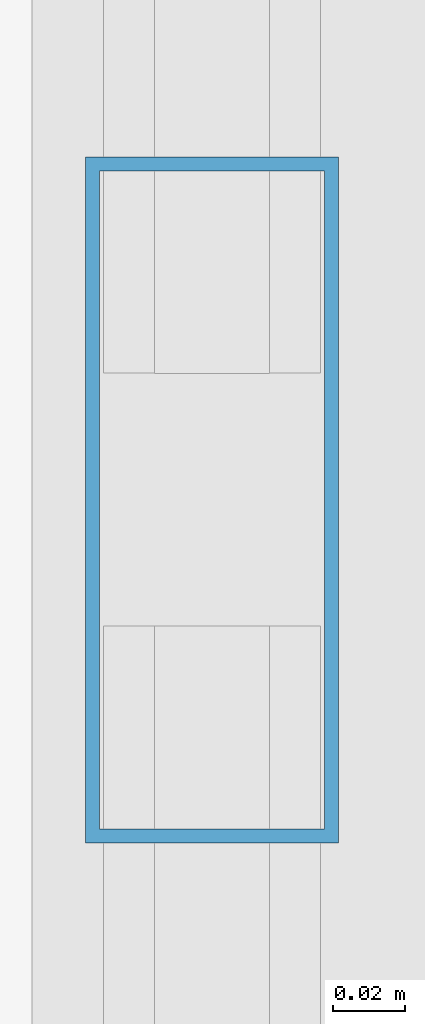
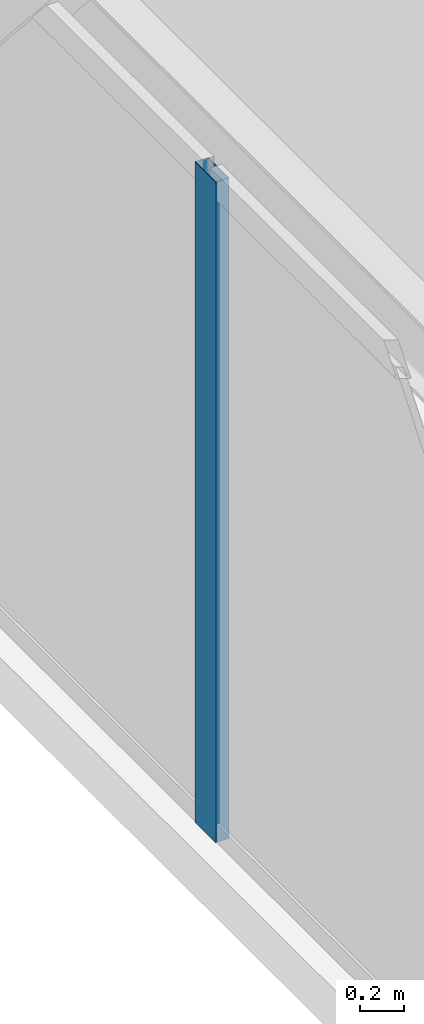
# One storey, part 11 of 32: 1 member, 1 element without a shape of its own.
"""IFC4 building model written with IfcOpenShell, lengths in metres."""

from ifc_helpers import new_model, si_unit, direction, frame, origin, origin_2d, place, context, subcontext, project, spatial, hollow_rectangle, extrude, source, transform, mapped, material, layer, layer_set, material_profile, profile_set, type_object, type_shapes, element, aggregate, save


model = new_model("IFC4")

# Units and contexts
model_context = context("Model", 3, precision=1e-05, world=origin(), true_north=direction((0.0, 1.0)))
body_context = subcontext(model_context, "Body", "Model", "MODEL_VIEW")
ifc_project = project(units=[si_unit("LENGTHUNIT", "METRE"), si_unit("AREAUNIT", "SQUARE_METRE"), si_unit("VOLUMEUNIT", "CUBIC_METRE"), si_unit("PLANEANGLEUNIT", "RADIAN"), si_unit("MASSUNIT", "GRAM", prefix="KILO")], contexts=[model_context])

# Site, building, storey
site_placement = place(None, origin())
site = spatial("IfcSite", under=ifc_project, at=site_placement, CompositionType="ELEMENT")
building_placement = place(site_placement, origin())
building = spatial("IfcBuilding", under=site, at=building_placement, Name="Varnel Quay Broadcast Tower", CompositionType="ELEMENT")
storey_placement = place(building_placement, frame((0.0, 0.0, 58.800048828125)))
storey = spatial("IfcBuildingStorey", under=building, at=storey_placement, Name="L13", CompositionType="ELEMENT", Elevation=58.800048828125)

# Curtain wall, member
ifc_material = material(Name="Anodised Bronze Aluminium 6063-T6", Category="aluminium")
ifc_layer = layer(ifc_material, 0.18994140625, Name="Anodised Bronze Aluminium 6063-T6")
ifc_layer_set = layer_set([ifc_layer], Name="Anodised Bronze Aluminium 6063-T6")
curtain_wall_type = type_object("IfcCurtainWallType", Name="CW_LowerTower", PredefinedType="NOTDEFINED", material=ifc_layer_set)
curtain_wall_placement = place(storey_placement, origin())
curtain_wall = element("IfcCurtainWall", 1, at=curtain_wall_placement, inside=storey, type_object=curtain_wall_type, Name="L13 West Unitised Curtain Wall", PredefinedType="NOTDEFINED")
ifc_material_profile = material_profile(ifc_material, hollow_rectangle(XDim=0.070068359375, YDim=0.18994140625, WallThickness=0.00390625, at=origin_2d()), Name="ALU70X190X4")
ifc_profile_set = profile_set([ifc_material_profile], Name="Anodised Bronze Aluminium 6063-T6")
member_type = type_object("IfcMemberType", Name="Mull_CWS-02", PredefinedType="MULLION", material=ifc_profile_set)
shared_shape = source(origin(), body_context, "Body", "SweptSolid", [
    extrude(hollow_rectangle(XDim=0.070068359375, YDim=0.18994140625, WallThickness=0.00390625, at=origin_2d()), origin(), (0.0, 0.0, 1.0), 3.64990234375),
])
type_shapes(member_type, [shared_shape])
member_placement = place(storey_placement, frame((2.14990234375, 30.39990234375, 0.0), z_axis=(0.0, 0.0, 1.0), x_axis=(-1.0, 0.0, 0.0)))
member = element("IfcMember", 2, at=member_placement, type_object=member_type, Name="CWS-02 mullion 3", PredefinedType="MULLION", context=body_context, shape_type="MappedRepresentation", body=[
    mapped(shared_shape, transform((0.0, 0.0, 0.0), x_axis=(1.0, 0.0, 0.0), y_axis=(0.0, 1.0, 0.0), z_axis=(0.0, 0.0, 1.0), scale=1.0)),
])
aggregate(curtain_wall, [member])

save(model, "model.ifc")
